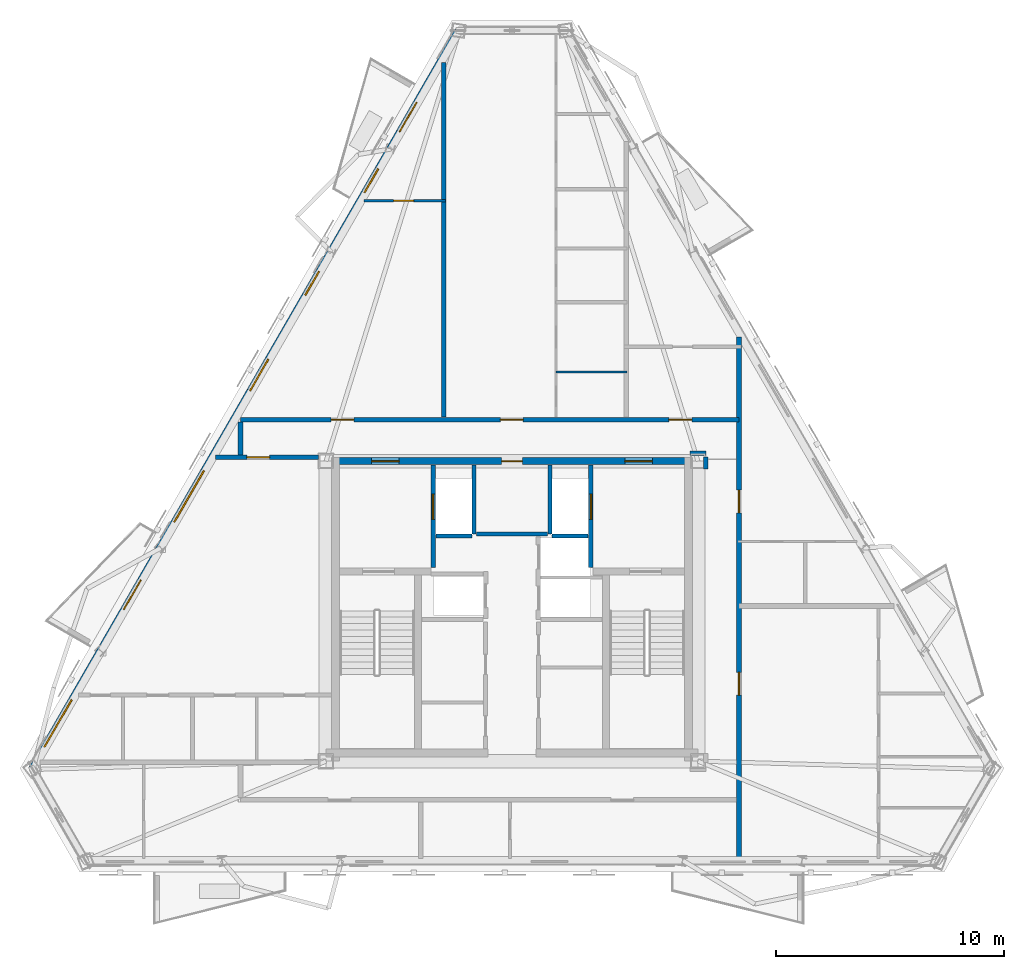
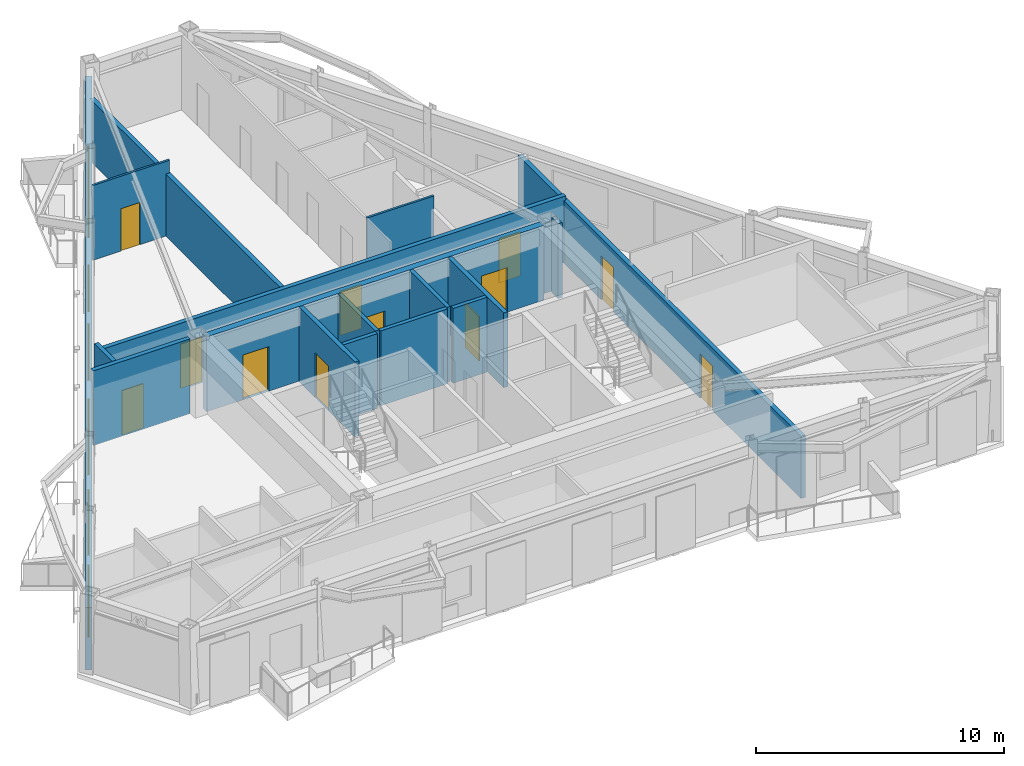
# One storey, part 4 of 9: 18 walls, 14 doors, 5 windows, 19 openings.
"""IFC4 building model written with IfcOpenShell, lengths in metres."""

from ifc_helpers import new_model, si_unit, direction, frame, frame_2d, origin, place, context, subcontext, project, spatial, rectangle, extrude, material, layer, layer_set, type_object, element, fill, save


model = new_model("IFC4")

# Units and contexts
model_context = context("Model", 3, precision=1e-05, world=origin(), true_north=direction((0.0, 1.0)))
body_context = subcontext(model_context, "Body", "Model", "MODEL_VIEW")
ifc_project = project(units=[si_unit("LENGTHUNIT", "METRE"), si_unit("AREAUNIT", "SQUARE_METRE"), si_unit("VOLUMEUNIT", "CUBIC_METRE"), si_unit("PLANEANGLEUNIT", "RADIAN"), si_unit("MASSUNIT", "GRAM", prefix="KILO")], contexts=[model_context])

# Site, building, storey
site_placement = place(None, origin())
site = spatial("IfcSite", under=ifc_project, at=site_placement, CompositionType="ELEMENT")
building_placement = place(site_placement, origin())
building = spatial("IfcBuilding", under=site, at=building_placement, Name="Oramaril Tower", CompositionType="ELEMENT")
storey_placement = place(building_placement, frame((0.0, 0.0, 273.300048828125)))
storey = spatial("IfcBuildingStorey", under=building, at=storey_placement, Name="L72", CompositionType="ELEMENT", Elevation=273.300048828125)

# Wall, openings, doors, windows
ifc_material_1 = material(Name="Warm Cream Limestone", Category="masonry")
ifc_layer_1 = layer(ifc_material_1, 0.2900390625)
ifc_layer_set_1 = layer_set([ifc_layer_1], Name="WT-EXT29")
wall_type_1 = type_object("IfcWallType", Name="WT-EXT29", PredefinedType="SOLIDWALL", material=ifc_layer_set_1)
wall_1_placement = place(storey_placement, frame((35.139404296875, 43.02294921875, 0.0), z_axis=(0.0, 0.0, 1.0), x_axis=(-0.499999381892, -0.866025760649, 0.0)))
wall_1 = element("IfcWall", 1, at=wall_1_placement, inside=storey, type_object=wall_type_1, Name="L72 Tower Limestone Facade Wall 6M", PredefinedType="SOLIDWALL", context=body_context, shape_type="SweptSolid", body=[
    extrude(rectangle(XDim=37.3427734375, YDim=0.2900390625, at=frame_2d((18.67138671875, 0.0))), origin(), (0.0, 0.0, 1.0), 3.057861328125),
])
opening_1_placement = place(wall_1_placement, frame((3.639404296875, 0.0, 0.0)))
opening_1 = element("IfcOpeningElement", 2, at=opening_1_placement, cuts=wall_1, Name="Opening D-L72-BAL-NW1", PredefinedType="OPENING", context=body_context, shape_type="SweptSolid", body=[
    extrude(rectangle(XDim=1.5, YDim=2.199951171875, at=frame_2d((0.75, 1.10009765625))), frame((0.0, 0.14501953125, 0.0), z_axis=(0.0, -1.0, 0.0), x_axis=(1.0, 0.0, 0.0)), (0.0, 0.0, 1.0), 0.2900390625),
])
opening_2_placement = place(wall_1_placement, frame((27.80859375, 0.0, 0.0)))
opening_2 = element("IfcOpeningElement", 3, at=opening_2_placement, cuts=wall_1, Name="Opening D-L72-BAL-NW2", PredefinedType="OPENING", context=body_context, shape_type="SweptSolid", body=[
    extrude(rectangle(XDim=1.5, YDim=2.199951171875, at=frame_2d((0.75, 1.10009765625))), frame((0.0, 0.14501953125, 0.0), z_axis=(0.0, -1.0, 0.0), x_axis=(1.0, 0.0, 0.0)), (0.0, 0.0, 1.0), 0.2900390625),
])
opening_3_placement = place(wall_1_placement, frame((22.281494140625, 0.0, 0.85009765625)))
opening_3 = element("IfcOpeningElement", 4, at=opening_3_placement, cuts=wall_1, Name="Opening WN-02", PredefinedType="OPENING", context=body_context, shape_type="SweptSolid", body=[
    extrude(rectangle(XDim=2.60009765625, YDim=1.949951171875, at=frame_2d((1.300048828125, 0.97509765625))), frame((0.0, 0.14501953125, 0.0), z_axis=(0.0, -1.0, 0.0), x_axis=(1.0, 0.0, 0.0)), (0.0, 0.0, 1.0), 0.2900390625),
])
opening_4_placement = place(wall_1_placement, frame((33.8662109375, 0.0, 0.85009765625)))
opening_4 = element("IfcOpeningElement", 5, at=opening_4_placement, cuts=wall_1, Name="Opening WN-03", PredefinedType="OPENING", context=body_context, shape_type="SweptSolid", body=[
    extrude(rectangle(XDim=2.39990234375, YDim=1.89990234375, at=frame_2d((1.199951171875, 0.949951171875))), frame((0.0, 0.14501953125, 0.0), z_axis=(0.0, -1.0, 0.0), x_axis=(1.0, 0.0, 0.0)), (0.0, 0.0, 1.0), 0.2900390625),
])
opening_5_placement = place(wall_1_placement, frame((12.196533203125, 0.0, 0.85009765625)))
opening_5 = element("IfcOpeningElement", 6, at=opening_5_placement, cuts=wall_1, Name="Opening WN-09", PredefinedType="OPENING", context=body_context, shape_type="SweptSolid", body=[
    extrude(rectangle(XDim=1.199951171875, YDim=1.47998046875, at=frame_2d((0.60009765625, 0.739990234375))), frame((0.0, 0.14501953125, 0.0), z_axis=(0.0, -1.0, 0.0), x_axis=(1.0, 0.0, 0.0)), (0.0, 0.0, 1.0), 0.2900390625),
])
opening_6_placement = place(wall_1_placement, frame((16.635009765625, 0.0, 0.85009765625)))
opening_6 = element("IfcOpeningElement", 7, at=opening_6_placement, cuts=wall_1, Name="Opening WN-07", PredefinedType="OPENING", context=body_context, shape_type="SweptSolid", body=[
    extrude(rectangle(XDim=1.60009765625, YDim=1.699951171875, at=frame_2d((0.800048828125, 0.85009765625))), frame((0.0, 0.14501953125, 0.0), z_axis=(0.0, -1.0, 0.0), x_axis=(1.0, 0.0, 0.0)), (0.0, 0.0, 1.0), 0.2900390625),
])
opening_7_placement = place(wall_1_placement, frame((7.0009765625, 0.0, 0.85009765625)))
opening_7 = element("IfcOpeningElement", 8, at=opening_7_placement, cuts=wall_1, Name="Opening WN-09", PredefinedType="OPENING", context=body_context, shape_type="SweptSolid", body=[
    extrude(rectangle(XDim=1.199951171875, YDim=1.47998046875, at=frame_2d((0.60009765625, 0.739990234375))), frame((0.0, 0.14501953125, 0.0), z_axis=(0.0, -1.0, 0.0), x_axis=(1.0, 0.0, 0.0)), (0.0, 0.0, 1.0), 0.2900390625),
])
ifc_material_2 = material(Name="Anodised Aluminium 6063-T6", Category="aluminium")
door_type_1 = type_object("IfcDoorType", Name="DT-BAL", OperationType="NOTDEFINED", PredefinedType="DOOR", material=ifc_material_2)
door_1_placement = place(opening_1_placement, origin())
door_1 = element("IfcDoor", 9, at=door_1_placement, inside=storey, type_object=door_type_1, Name="L72 Balcony Glazed Door L72-BAL-NW1", OperationType="SINGLE_SWING_LEFT", OverallHeight=2.199951171875, OverallWidth=1.5, PredefinedType="DOOR", context=body_context, shape_type="SweptSolid", body=[
    extrude(rectangle(XDim=1.5, YDim=2.199951171875, at=frame_2d((0.75, 1.10009765625))), frame((0.0, 0.02490234375, 0.0), z_axis=(0.0, -1.0, 0.0), x_axis=(1.0, 0.0, 0.0)), (0.0, 0.0, 1.0), 0.050048828125),
])
fill(opening_1, door_1)
door_2_placement = place(opening_2_placement, origin())
door_2 = element("IfcDoor", 10, at=door_2_placement, inside=storey, type_object=door_type_1, Name="L72 Balcony Glazed Door L72-BAL-NW2", OperationType="SINGLE_SWING_RIGHT", OverallHeight=2.199951171875, OverallWidth=1.5, PredefinedType="DOOR", context=body_context, shape_type="SweptSolid", body=[
    extrude(rectangle(XDim=1.5, YDim=2.199951171875, at=frame_2d((0.75, 1.10009765625))), frame((0.0, 0.02490234375, 0.0), z_axis=(0.0, -1.0, 0.0), x_axis=(1.0, 0.0, 0.0)), (0.0, 0.0, 1.0), 0.050048828125),
])
fill(opening_2, door_2)
ifc_material_3 = material(Name="Coastal Low-E Insulated Glass", Category="glass")
window_type_1 = type_object("IfcWindowType", Name="WNT-02", PartitioningType="SINGLE_PANEL", PredefinedType="WINDOW", material=ifc_material_3)
window_1_placement = place(opening_3_placement, origin())
window_1 = element("IfcWindow", 11, at=window_1_placement, inside=storey, type_object=window_type_1, Name="L72 Chicago Bay Window WN-02", OverallHeight=1.949951171875, OverallWidth=2.60009765625, PartitioningType="SINGLE_PANEL", PredefinedType="WINDOW", context=body_context, shape_type="SweptSolid", body=[
    extrude(rectangle(XDim=2.60009765625, YDim=1.949951171875, at=frame_2d((1.300048828125, 0.97509765625))), frame((0.0, 0.030029296875, 0.0), z_axis=(0.0, -1.0, 0.0), x_axis=(1.0, 0.0, 0.0)), (0.0, 0.0, 1.0), 0.06005859375),
])
fill(opening_3, window_1)
ifc_material_4 = material(Name="Coastal Low-E Insulated Glass", Category="glass")
window_type_2 = type_object("IfcWindowType", Name="WNT-03", PartitioningType="SINGLE_PANEL", PredefinedType="WINDOW", material=ifc_material_4)
window_2_placement = place(opening_4_placement, origin())
window_2 = element("IfcWindow", 12, at=window_2_placement, inside=storey, type_object=window_type_2, Name="L72 Chicago Bay Window WN-03", OverallHeight=1.89990234375, OverallWidth=2.39990234375, PartitioningType="SINGLE_PANEL", PredefinedType="WINDOW", context=body_context, shape_type="SweptSolid", body=[
    extrude(rectangle(XDim=2.39990234375, YDim=1.89990234375, at=frame_2d((1.199951171875, 0.949951171875))), frame((0.0, 0.030029296875, 0.0), z_axis=(0.0, -1.0, 0.0), x_axis=(1.0, 0.0, 0.0)), (0.0, 0.0, 1.0), 0.06005859375),
])
fill(opening_4, window_2)
ifc_material_5 = material(Name="Coastal Low-E Insulated Glass", Category="glass")
window_type_3 = type_object("IfcWindowType", Name="WNT-07", PartitioningType="SINGLE_PANEL", PredefinedType="WINDOW", material=ifc_material_5)
window_3_placement = place(opening_6_placement, origin())
window_3 = element("IfcWindow", 13, at=window_3_placement, inside=storey, type_object=window_type_3, Name="L72 Chicago Bay Window WN-07", OverallHeight=1.699951171875, OverallWidth=1.60009765625, PartitioningType="SINGLE_PANEL", PredefinedType="WINDOW", context=body_context, shape_type="SweptSolid", body=[
    extrude(rectangle(XDim=1.60009765625, YDim=1.699951171875, at=frame_2d((0.800048828125, 0.85009765625))), frame((0.0, 0.030029296875, 0.0), z_axis=(0.0, -1.0, 0.0), x_axis=(1.0, 0.0, 0.0)), (0.0, 0.0, 1.0), 0.06005859375),
])
fill(opening_6, window_3)
ifc_material_6 = material(Name="Coastal Low-E Insulated Glass", Category="glass")
window_type_4 = type_object("IfcWindowType", Name="WNT-09", PartitioningType="SINGLE_PANEL", PredefinedType="WINDOW", material=ifc_material_6)
window_4_placement = place(opening_5_placement, origin())
window_4 = element("IfcWindow", 14, at=window_4_placement, inside=storey, type_object=window_type_4, Name="L72 Chicago Bay Window WN-09", OverallHeight=1.47998046875, OverallWidth=1.199951171875, PartitioningType="SINGLE_PANEL", PredefinedType="WINDOW", context=body_context, shape_type="SweptSolid", body=[
    extrude(rectangle(XDim=1.199951171875, YDim=1.47998046875, at=frame_2d((0.60009765625, 0.739990234375))), frame((0.0, 0.030029296875, 0.0), z_axis=(0.0, -1.0, 0.0), x_axis=(1.0, 0.0, 0.0)), (0.0, 0.0, 1.0), 0.06005859375),
])
fill(opening_5, window_4)
window_5_placement = place(opening_7_placement, origin())
window_5 = element("IfcWindow", 15, at=window_5_placement, inside=storey, type_object=window_type_4, Name="L72 Chicago Bay Window WN-09", OverallHeight=1.47998046875, OverallWidth=1.199951171875, PartitioningType="SINGLE_PANEL", PredefinedType="WINDOW", context=body_context, shape_type="SweptSolid", body=[
    extrude(rectangle(XDim=1.199951171875, YDim=1.47998046875, at=frame_2d((0.60009765625, 0.739990234375))), frame((0.0, 0.030029296875, 0.0), z_axis=(0.0, -1.0, 0.0), x_axis=(1.0, 0.0, 0.0)), (0.0, 0.0, 1.0), 0.06005859375),
])
fill(opening_7, window_5)

# Wall
ifc_material_7 = material(Name="Acoustic Gypsum Board Partition")
ifc_layer_2 = layer(ifc_material_7, 0.10009765625)
ifc_layer_set_2 = layer_set([ifc_layer_2], Name="WT-PT10")
wall_type_2 = type_object("IfcWallType", Name="WT-PT10", PredefinedType="PARTITIONING", material=ifc_layer_set_2)
wall_2_placement = place(storey_placement, frame((39.429931640625, 28.06005859375, 0.0), z_axis=(0.0, 0.0, 1.0), x_axis=(1.0, 0.0, 0.0)))
element("IfcWall", 16, at=wall_2_placement, inside=storey, type_object=wall_type_2, Name="L72 Interior Partition PT-10", PredefinedType="PARTITIONING", context=body_context, shape_type="SweptSolid", body=[
    extrude(rectangle(XDim=3.1201171875, YDim=0.10009765625, at=frame_2d((1.56005859375, 0.0))), origin(), (0.0, 0.0, 1.0), 3.679931640625),
])

# Wall, opening, door
wall_3_placement = place(storey_placement, frame((31.002685546875, 35.56005859375, 0.0), z_axis=(0.0, 0.0, 1.0), x_axis=(1.0, 0.0, 0.0)))
wall_3 = element("IfcWall", 17, at=wall_3_placement, inside=storey, type_object=wall_type_2, Name="L72 Interior Partition PT-10", PredefinedType="PARTITIONING", context=body_context, shape_type="SweptSolid", body=[
    extrude(rectangle(XDim=3.579345703125, YDim=0.10009765625, at=frame_2d((1.78955078125, 0.0))), origin(), (0.0, 0.0, 1.0), 3.679931640625),
])
opening_8_placement = place(wall_3_placement, frame((1.30908203125, 0.0, 0.0)))
opening_8 = element("IfcOpeningElement", 18, at=opening_8_placement, cuts=wall_3, Name="Opening D-L72-14", PredefinedType="OPENING", context=body_context, shape_type="SweptSolid", body=[
    extrude(rectangle(XDim=0.8798828125, YDim=2.080078125, at=frame_2d((0.43994140625, 1.0400390625))), frame((0.0, 0.050048828125, 0.0), z_axis=(0.0, -1.0, 0.0), x_axis=(1.0, 0.0, 0.0)), (0.0, 0.0, 1.0), 0.10009765625),
])
ifc_material_8 = material(Name="FSC Brazilian Freijo Hardwood", Category="wood")
door_type_2 = type_object("IfcDoorType", Name="DT-BATH", OperationType="NOTDEFINED", PredefinedType="DOOR", material=ifc_material_8)
door_3_placement = place(opening_8_placement, origin())
door_3 = element("IfcDoor", 19, at=door_3_placement, inside=storey, type_object=door_type_2, Name="L72 Flat L72-U6 Bathroom Door D-L72-14", OperationType="SINGLE_SWING_LEFT", OverallHeight=2.080078125, OverallWidth=0.8798828125, PredefinedType="DOOR", context=body_context, shape_type="SweptSolid", body=[
    extrude(rectangle(XDim=0.8798828125, YDim=2.080078125, at=frame_2d((0.43994140625, 1.0400390625))), frame((0.0, 0.02490234375, 0.0), z_axis=(0.0, -1.0, 0.0), x_axis=(1.0, 0.0, 0.0)), (0.0, 0.0, 1.0), 0.050048828125),
])
fill(opening_8, door_3)

# Walls
ifc_material_9 = material(Name="Autoclaved Cellular Concrete Block", Category="concrete")
ifc_layer_3 = layer(ifc_material_9, 0.179931640625)
ifc_layer_set_3 = layer_set([ifc_layer_3], Name="WT-PT18")
wall_type_3 = type_object("IfcWallType", Name="WT-PT18", PredefinedType="PARTITIONING", material=ifc_layer_set_3)
wall_4_placement = place(storey_placement, frame((35.840087890625, 20.9599609375, 0.0), z_axis=(0.0, 0.0, 1.0), x_axis=(0.0, 1.0, 0.0)))
element("IfcWall", 20, at=wall_4_placement, inside=storey, type_object=wall_type_3, Name="L72 FL-1 East Shaft Wall", PredefinedType="PARTITIONING", context=body_context, shape_type="SweptSolid", body=[
    extrude(rectangle(XDim=3.02001953125, YDim=0.179931640625, at=frame_2d((1.510009765625, 0.0))), origin(), (0.0, 0.0, 1.0), 3.679931640625),
])
wall_5_placement = place(storey_placement, frame((34.159912109375, 20.860107421875, 0.0), z_axis=(0.0, 0.0, 1.0), x_axis=(1.0, 0.0, 0.0)))
element("IfcWall", 21, at=wall_5_placement, inside=storey, type_object=wall_type_3, Name="L72 FL-1 South Shaft Wall", PredefinedType="PARTITIONING", context=body_context, shape_type="SweptSolid", body=[
    extrude(rectangle(XDim=1.580078125, YDim=0.179931640625, at=frame_2d((0.7900390625, 0.0))), origin(), (0.0, 0.0, 1.0), 3.679931640625),
])
wall_6_placement = place(storey_placement, frame((39.159912109375, 20.9599609375, 0.0), z_axis=(0.0, 0.0, 1.0), x_axis=(0.0, 1.0, 0.0)))
element("IfcWall", 22, at=wall_6_placement, inside=storey, type_object=wall_type_3, Name="L72 FL-2 West Shaft Wall", PredefinedType="PARTITIONING", context=body_context, shape_type="SweptSolid", body=[
    extrude(rectangle(XDim=3.02001953125, YDim=0.179931640625, at=frame_2d((1.510009765625, 0.0))), origin(), (0.0, 0.0, 1.0), 3.679931640625),
])
wall_7_placement = place(storey_placement, frame((39.260009765625, 20.860107421875, 0.0), z_axis=(0.0, 0.0, 1.0), x_axis=(1.0, 0.0, 0.0)))
element("IfcWall", 23, at=wall_7_placement, inside=storey, type_object=wall_type_3, Name="L72 FL-2 South Shaft Wall", PredefinedType="PARTITIONING", context=body_context, shape_type="SweptSolid", body=[
    extrude(rectangle(XDim=1.580078125, YDim=0.179931640625, at=frame_2d((0.7900390625, 0.0))), origin(), (0.0, 0.0, 1.0), 3.679931640625),
])
wall_8_placement = place(storey_placement, frame((35.949951171875, 20.949951171875, 0.0), z_axis=(0.0, 0.0, 1.0), x_axis=(1.0, 0.0, 0.0)))
element("IfcWall", 24, at=wall_8_placement, inside=storey, type_object=wall_type_3, Name="L72 Lift Lobby North Partition", PredefinedType="PARTITIONING", context=body_context, shape_type="SweptSolid", body=[
    extrude(rectangle(XDim=3.10009765625, YDim=0.179931640625, at=frame_2d((1.550048828125, 0.0))), origin(), (0.0, 0.0, 1.0), 3.679931640625),
])

# Wall, opening, door
ifc_material_10 = material(Name="Autoclaved Cellular Concrete Block", Category="concrete")
ifc_layer_4 = layer(ifc_material_10, 0.199951171875)
ifc_layer_set_4 = layer_set([ifc_layer_4], Name="WT-PT20")
wall_type_4 = type_object("IfcWallType", Name="WT-PT20", PredefinedType="PARTITIONING", material=ifc_layer_set_4)
wall_9_placement = place(storey_placement, frame((24.51318359375, 24.320068359375, 0.0), z_axis=(0.0, 0.0, 1.0), x_axis=(1.0, 0.0, 0.0)))
wall_9 = element("IfcWall", 25, at=wall_9_placement, inside=storey, type_object=wall_type_4, Name="L72 Interior Partition PT-20", PredefinedType="PARTITIONING", context=body_context, shape_type="SweptSolid", body=[
    extrude(rectangle(XDim=4.496826171875, YDim=0.199951171875, at=frame_2d((2.24853515625, 0.0))), origin(), (0.0, 0.0, 1.0), 3.679931640625),
])
opening_9_placement = place(wall_9_placement, frame((1.368408203125, 0.0, 0.0)))
opening_9 = element("IfcOpeningElement", 26, at=opening_9_placement, cuts=wall_9, Name="Opening D-L72-09", PredefinedType="OPENING", context=body_context, shape_type="SweptSolid", body=[
    extrude(rectangle(XDim=1.0, YDim=2.179931640625, at=frame_2d((0.5, 1.08984375))), frame((0.0, 0.10009765625, 0.0), z_axis=(0.0, -1.0, 0.0), x_axis=(1.0, 0.0, 0.0)), (0.0, 0.0, 1.0), 0.199951171875),
])
ifc_material_11 = material(Name="FSC Brazilian Freijo Hardwood", Category="wood")
door_type_3 = type_object("IfcDoorType", Name="DT-APT", OperationType="NOTDEFINED", PredefinedType="DOOR", material=ifc_material_11)
door_4_placement = place(opening_9_placement, origin())
door_4 = element("IfcDoor", 27, at=door_4_placement, inside=storey, type_object=door_type_3, Name="L72 Flat L72-U3 Penthouse 2-Bedroom Living and Dining Room Door D-L72-09", OperationType="SINGLE_SWING_RIGHT", OverallHeight=2.179931640625, OverallWidth=1.0, PredefinedType="DOOR", context=body_context, shape_type="SweptSolid", body=[
    extrude(rectangle(XDim=1.0, YDim=2.179931640625, at=frame_2d((0.5, 1.08984375))), frame((0.0, 0.02490234375, 0.0), z_axis=(0.0, -1.0, 0.0), x_axis=(1.0, 0.0, 0.0)), (0.0, 0.0, 1.0), 0.050048828125),
])
fill(opening_9, door_4)

# Wall
wall_10_placement = place(storey_placement, frame((45.304931640625, 24.5, 0.0), z_axis=(0.0, 0.0, 1.0), x_axis=(1.0, 0.0, 0.0)))
element("IfcWall", 28, at=wall_10_placement, inside=storey, type_object=wall_type_4, Name="L72 Interior Partition PT-20", PredefinedType="PARTITIONING", context=body_context, shape_type="SweptSolid", body=[
    extrude(rectangle(XDim=0.690185546875, YDim=0.199951171875, at=frame_2d((0.34521484375, 0.0))), origin(), (0.0, 0.0, 1.0), 3.265869140625),
])

# Wall, openings, doors
wall_11_placement = place(storey_placement, frame((25.60009765625, 25.969970703125, 0.0), z_axis=(0.0, 0.0, 1.0), x_axis=(1.0, 0.0, 0.0)))
wall_11 = element("IfcWall", 29, at=wall_11_placement, inside=storey, type_object=wall_type_4, Name="L72 Interior Partition PT-20", PredefinedType="PARTITIONING", context=body_context, shape_type="SweptSolid", body=[
    extrude(rectangle(XDim=21.849853515625, YDim=0.199951171875, at=frame_2d((10.9248046875, 0.0))), origin(), (0.0, 0.0, 1.0), 3.265869140625),
])
opening_10_placement = place(wall_11_placement, frame((3.970947265625, 0.0, 0.0)))
opening_10 = element("IfcOpeningElement", 30, at=opening_10_placement, cuts=wall_11, Name="Opening D-L72-10", PredefinedType="OPENING", context=body_context, shape_type="SweptSolid", body=[
    extrude(rectangle(XDim=1.0, YDim=2.179931640625, at=frame_2d((0.5, 1.08984375))), frame((0.0, 0.10009765625, 0.0), z_axis=(0.0, -1.0, 0.0), x_axis=(1.0, 0.0, 0.0)), (0.0, 0.0, 1.0), 0.199951171875),
])
opening_11_placement = place(wall_11_placement, frame((11.3876953125, 0.0, 0.0)))
opening_11 = element("IfcOpeningElement", 31, at=opening_11_placement, cuts=wall_11, Name="Opening D-L72-11", PredefinedType="OPENING", context=body_context, shape_type="SweptSolid", body=[
    extrude(rectangle(XDim=1.0, YDim=2.179931640625, at=frame_2d((0.5, 1.08984375))), frame((0.0, 0.10009765625, 0.0), z_axis=(0.0, -1.0, 0.0), x_axis=(1.0, 0.0, 0.0)), (0.0, 0.0, 1.0), 0.199951171875),
])
opening_12_placement = place(wall_11_placement, frame((18.77978515625, 0.0, 0.0)))
opening_12 = element("IfcOpeningElement", 32, at=opening_12_placement, cuts=wall_11, Name="Opening D-L72-12", PredefinedType="OPENING", context=body_context, shape_type="SweptSolid", body=[
    extrude(rectangle(XDim=1.0, YDim=2.179931640625, at=frame_2d((0.5, 1.08984375))), frame((0.0, 0.10009765625, 0.0), z_axis=(0.0, -1.0, 0.0), x_axis=(1.0, 0.0, 0.0)), (0.0, 0.0, 1.0), 0.199951171875),
])
door_5_placement = place(opening_10_placement, origin())
door_5 = element("IfcDoor", 33, at=door_5_placement, inside=storey, type_object=door_type_3, Name="L72 Flat L72-U6 Kitchen and Studio Apartment Door D-L72-10", OperationType="SINGLE_SWING_LEFT", OverallHeight=2.179931640625, OverallWidth=1.0, PredefinedType="DOOR", context=body_context, shape_type="SweptSolid", body=[
    extrude(rectangle(XDim=1.0, YDim=2.179931640625, at=frame_2d((0.5, 1.08984375))), frame((0.0, 0.02490234375, 0.0), z_axis=(0.0, -1.0, 0.0), x_axis=(1.0, 0.0, 0.0)), (0.0, 0.0, 1.0), 0.050048828125),
])
fill(opening_10, door_5)
door_6_placement = place(opening_11_placement, origin())
door_6 = element("IfcDoor", 34, at=door_6_placement, inside=storey, type_object=door_type_3, Name="L72 Flat L72-U7 Penthouse Living and Dining Room Door D-L72-11", OperationType="SINGLE_SWING_RIGHT", OverallHeight=2.179931640625, OverallWidth=1.0, PredefinedType="DOOR", context=body_context, shape_type="SweptSolid", body=[
    extrude(rectangle(XDim=1.0, YDim=2.179931640625, at=frame_2d((0.5, 1.08984375))), frame((0.0, 0.02490234375, 0.0), z_axis=(0.0, -1.0, 0.0), x_axis=(1.0, 0.0, 0.0)), (0.0, 0.0, 1.0), 0.050048828125),
])
fill(opening_11, door_6)
door_7_placement = place(opening_12_placement, origin())
door_7 = element("IfcDoor", 35, at=door_7_placement, inside=storey, type_object=door_type_3, Name="L72 Flat L72-U8 Kitchen and Studio Apartment Door D-L72-12", OperationType="SINGLE_SWING_LEFT", OverallHeight=2.179931640625, OverallWidth=1.0, PredefinedType="DOOR", context=body_context, shape_type="SweptSolid", body=[
    extrude(rectangle(XDim=1.0, YDim=2.179931640625, at=frame_2d((0.5, 1.08984375))), frame((0.0, 0.02490234375, 0.0), z_axis=(0.0, -1.0, 0.0), x_axis=(1.0, 0.0, 0.0)), (0.0, 0.0, 1.0), 0.050048828125),
])
fill(opening_12, door_7)

# Walls
wall_12_placement = place(storey_placement, frame((25.60009765625, 24.424072265625, 0.0), z_axis=(0.0, 0.0, 1.0), x_axis=(0.0, 1.0, 0.0)))
element("IfcWall", 36, at=wall_12_placement, inside=storey, type_object=wall_type_4, Name="L72 Interior Partition PT-20", PredefinedType="PARTITIONING", context=body_context, shape_type="SweptSolid", body=[
    extrude(rectangle(XDim=1.44189453125, YDim=0.199951171875, at=frame_2d((0.720947265625, 0.0))), origin(), (0.0, 0.0, 1.0), 3.679931640625),
])
wall_13_placement = place(storey_placement, frame((34.5, 26.073974609375, 0.0), z_axis=(0.0, 0.0, 1.0), x_axis=(0.0, 1.0, 0.0)))
element("IfcWall", 37, at=wall_13_placement, inside=storey, type_object=wall_type_4, Name="L72 Interior Partition PT-20", PredefinedType="PARTITIONING", context=body_context, shape_type="SweptSolid", body=[
    extrude(rectangle(XDim=15.543701171875, YDim=0.199951171875, at=frame_2d((7.77197265625, 0.0))), origin(), (0.0, 0.0, 1.0), 3.057861328125),
])
wall_14_placement = place(storey_placement, frame((45.989990234375, 23.81005859375, 0.0), z_axis=(0.0, 0.0, 1.0), x_axis=(0.0, 1.0, 0.0)))
element("IfcWall", 38, at=wall_14_placement, inside=storey, type_object=wall_type_4, Name="L72 Interior Partition PT-20", PredefinedType="PARTITIONING", context=body_context, shape_type="SweptSolid", body=[
    extrude(rectangle(XDim=0.510009765625, YDim=0.199951171875, at=frame_2d((0.2548828125, 0.0))), origin(), (0.0, 0.0, 1.0), 3.679931640625),
])

# Wall, openings, doors
wall_15_placement = place(storey_placement, frame((47.449951171875, 6.7431640625, 0.0), z_axis=(0.0, 0.0, 1.0), x_axis=(0.0, 1.0, 0.0)))
wall_15 = element("IfcWall", 39, at=wall_15_placement, inside=storey, type_object=wall_type_4, Name="L72 Interior Partition PT-20", PredefinedType="PARTITIONING", context=body_context, shape_type="SweptSolid", body=[
    extrude(rectangle(XDim=22.836669921875, YDim=0.199951171875, at=frame_2d((11.41845703125, 0.0))), origin(), (0.0, 0.0, 1.0), 3.057861328125),
])
opening_13_placement = place(wall_15_placement, frame((7.15283203125, 0.0, 0.0)))
opening_13 = element("IfcOpeningElement", 40, at=opening_13_placement, cuts=wall_15, Name="Opening D-L72-23", PredefinedType="OPENING", context=body_context, shape_type="SweptSolid", body=[
    extrude(rectangle(XDim=1.0, YDim=2.179931640625, at=frame_2d((0.5, 1.08984375))), frame((0.0, 0.10009765625, 0.0), z_axis=(0.0, -1.0, 0.0), x_axis=(1.0, 0.0, 0.0)), (0.0, 0.0, 1.0), 0.199951171875),
])
opening_14_placement = place(wall_15_placement, frame((15.138916015625, 0.0, 0.0)))
opening_14 = element("IfcOpeningElement", 41, at=opening_14_placement, cuts=wall_15, Name="Opening D-L72-24", PredefinedType="OPENING", context=body_context, shape_type="SweptSolid", body=[
    extrude(rectangle(XDim=1.0, YDim=2.179931640625, at=frame_2d((0.5, 1.08984375))), frame((0.0, 0.10009765625, 0.0), z_axis=(0.0, -1.0, 0.0), x_axis=(1.0, 0.0, 0.0)), (0.0, 0.0, 1.0), 0.199951171875),
])
door_8_placement = place(opening_13_placement, origin())
door_8 = element("IfcDoor", 42, at=door_8_placement, inside=storey, type_object=door_type_3, Name="L72 Flat L72-U4 Studio Apartment Door D-L72-23", OperationType="SINGLE_SWING_RIGHT", OverallHeight=2.179931640625, OverallWidth=1.0, PredefinedType="DOOR", context=body_context, shape_type="SweptSolid", body=[
    extrude(rectangle(XDim=1.0, YDim=2.179931640625, at=frame_2d((0.5, 1.08984375))), frame((0.0, 0.02490234375, 0.0), z_axis=(0.0, -1.0, 0.0), x_axis=(1.0, 0.0, 0.0)), (0.0, 0.0, 1.0), 0.050048828125),
])
fill(opening_13, door_8)
door_9_placement = place(opening_14_placement, origin())
door_9 = element("IfcDoor", 43, at=door_9_placement, inside=storey, type_object=door_type_3, Name="L72 Flat L72-U5 Studio Apartment Door D-L72-24", OperationType="SINGLE_SWING_LEFT", OverallHeight=2.179931640625, OverallWidth=1.0, PredefinedType="DOOR", context=body_context, shape_type="SweptSolid", body=[
    extrude(rectangle(XDim=1.0, YDim=2.179931640625, at=frame_2d((0.5, 1.08984375))), frame((0.0, 0.02490234375, 0.0), z_axis=(0.0, -1.0, 0.0), x_axis=(1.0, 0.0, 0.0)), (0.0, 0.0, 1.0), 0.050048828125),
])
fill(opening_14, door_9)

ifc_material_12 = material(Name="Concrete C50/60", Category="concrete")
ifc_layer_5 = layer(ifc_material_12, 0.300048828125)
ifc_layer_set_5 = layer_set([ifc_layer_5], Name="WT-SH30")
wall_type_5 = type_object("IfcWallType", Name="WT-SH30", PredefinedType="SHEAR", material=ifc_layer_set_5)
wall_16_placement = place(storey_placement, frame((29.64990234375, 24.14990234375, 0.0), z_axis=(0.0, 0.0, 1.0), x_axis=(1.0, 0.0, 0.0)))
wall_16 = element("IfcWall", 44, at=wall_16_placement, inside=storey, type_object=wall_type_5, Name="L72 Core Shear Wall CW-N", PredefinedType="SHEAR", context=body_context, shape_type="SweptSolid", body=[
    extrude(rectangle(XDim=15.7001953125, YDim=0.300048828125, at=frame_2d((7.85009765625, 0.0))), origin(), (0.0, 0.0, 1.0), 3.679931640625),
])
opening_15_placement = place(wall_16_placement, frame((1.699951171875, 0.0, 0.0)))
opening_15 = element("IfcOpeningElement", 45, at=opening_15_placement, cuts=wall_16, Name="Opening D-L72-FFL1", PredefinedType="OPENING", context=body_context, shape_type="SweptSolid", body=[
    extrude(rectangle(XDim=1.199951171875, YDim=2.199951171875, at=frame_2d((0.60009765625, 1.10009765625))), frame((0.0, 0.14990234375, 0.0), z_axis=(0.0, -1.0, 0.0), x_axis=(1.0, 0.0, 0.0)), (0.0, 0.0, 1.0), 0.300048828125),
])
opening_16_placement = place(wall_16_placement, frame((12.800048828125, 0.0, 0.0)))
opening_16 = element("IfcOpeningElement", 46, at=opening_16_placement, cuts=wall_16, Name="Opening D-L72-FFL2", PredefinedType="OPENING", context=body_context, shape_type="SweptSolid", body=[
    extrude(rectangle(XDim=1.199951171875, YDim=2.199951171875, at=frame_2d((0.60009765625, 1.10009765625))), frame((0.0, 0.14990234375, 0.0), z_axis=(0.0, -1.0, 0.0), x_axis=(1.0, 0.0, 0.0)), (0.0, 0.0, 1.0), 0.300048828125),
])
opening_17_placement = place(wall_16_placement, frame((7.39990234375, 0.0, 0.0)))
opening_17 = element("IfcOpeningElement", 47, at=opening_17_placement, cuts=wall_16, Name="Opening D-L72-SV1", PredefinedType="OPENING", context=body_context, shape_type="SweptSolid", body=[
    extrude(rectangle(XDim=0.89990234375, YDim=2.050048828125, at=frame_2d((0.449951171875, 1.02490234375))), frame((0.0, 0.14990234375, 0.0), z_axis=(0.0, -1.0, 0.0), x_axis=(1.0, 0.0, 0.0)), (0.0, 0.0, 1.0), 0.300048828125),
])
ifc_material_13 = material(Name="Painted Galvanised Steel", Category="steel")
door_type_4 = type_object("IfcDoorType", Name="DT-FFL", OperationType="NOTDEFINED", PredefinedType="DOOR", material=ifc_material_13)
door_10_placement = place(opening_15_placement, origin())
door_10 = element("IfcDoor", 48, at=door_10_placement, inside=storey, type_object=door_type_4, Name="L72 Firefighting Lobby 1 Fire Door", OperationType="SINGLE_SWING_LEFT", OverallHeight=2.199951171875, OverallWidth=1.199951171875, PredefinedType="DOOR", context=body_context, shape_type="SweptSolid", body=[
    extrude(rectangle(XDim=1.199951171875, YDim=2.199951171875, at=frame_2d((0.60009765625, 1.10009765625))), frame((0.0, 0.02490234375, 0.0), z_axis=(0.0, -1.0, 0.0), x_axis=(1.0, 0.0, 0.0)), (0.0, 0.0, 1.0), 0.050048828125),
])
fill(opening_15, door_10)
door_11_placement = place(opening_16_placement, origin())
door_11 = element("IfcDoor", 49, at=door_11_placement, inside=storey, type_object=door_type_4, Name="L72 Firefighting Lobby 2 Fire Door", OperationType="SINGLE_SWING_RIGHT", OverallHeight=2.199951171875, OverallWidth=1.199951171875, PredefinedType="DOOR", context=body_context, shape_type="SweptSolid", body=[
    extrude(rectangle(XDim=1.199951171875, YDim=2.199951171875, at=frame_2d((0.60009765625, 1.10009765625))), frame((0.0, 0.02490234375, 0.0), z_axis=(0.0, -1.0, 0.0), x_axis=(1.0, 0.0, 0.0)), (0.0, 0.0, 1.0), 0.050048828125),
])
fill(opening_16, door_11)
ifc_material_14 = material(Name="Painted Galvanised Steel", Category="steel")
door_type_5 = type_object("IfcDoorType", Name="DT-SVC", OperationType="NOTDEFINED", PredefinedType="DOOR", material=ifc_material_14)
door_12_placement = place(opening_17_placement, origin())
door_12 = element("IfcDoor", 50, at=door_12_placement, inside=storey, type_object=door_type_5, Name="L72 Core Janitor Store Door", OperationType="SINGLE_SWING_LEFT", OverallHeight=2.050048828125, OverallWidth=0.89990234375, PredefinedType="DOOR", context=body_context, shape_type="SweptSolid", body=[
    extrude(rectangle(XDim=0.89990234375, YDim=2.050048828125, at=frame_2d((0.449951171875, 1.02490234375))), frame((0.0, 0.02490234375, 0.0), z_axis=(0.0, -1.0, 0.0), x_axis=(1.0, 0.0, 0.0)), (0.0, 0.0, 1.0), 0.050048828125),
])
fill(opening_17, door_12)

# Wall, opening, door
ifc_material_15 = material(Name="Autoclaved Cellular Concrete Block", Category="concrete")
ifc_layer_6 = layer(ifc_material_15, 0.199951171875)
ifc_layer_set_6 = layer_set([ifc_layer_6], Name="WT-SHF20")
wall_type_6 = type_object("IfcWallType", Name="WT-SHF20", PredefinedType="PARTITIONING", material=ifc_layer_set_6)
wall_17_placement = place(storey_placement, frame((34.0400390625, 19.47998046875, 0.0), z_axis=(0.0, 0.0, 1.0), x_axis=(0.0, 1.0, 0.0)))
wall_17 = element("IfcWall", 51, at=wall_17_placement, inside=storey, type_object=wall_type_6, Name="L72 FL-1 Lobby Shaft Wall", PredefinedType="PARTITIONING", context=body_context, shape_type="SweptSolid", body=[
    extrude(rectangle(XDim=4.5, YDim=0.199951171875, at=frame_2d((2.25, 0.0))), origin(), (0.0, 0.0, 1.0), 3.679931640625),
])
opening_18_placement = place(wall_17_placement, frame((2.1201171875, 0.0, 0.0)))
opening_18 = element("IfcOpeningElement", 52, at=opening_18_placement, cuts=wall_17, Name="Opening LD-L72-FL-1", PredefinedType="OPENING", context=body_context, shape_type="SweptSolid", body=[
    extrude(rectangle(XDim=1.10009765625, YDim=2.199951171875, at=frame_2d((0.550048828125, 1.10009765625))), frame((0.0, 0.10009765625, 0.0), z_axis=(0.0, -1.0, 0.0), x_axis=(1.0, 0.0, 0.0)), (0.0, 0.0, 1.0), 0.199951171875),
])
ifc_material_16 = material(Name="Stainless Steel 316L", Category="steel")
door_type_6 = type_object("IfcDoorType", Name="DT-LD1", OperationType="NOTDEFINED", PredefinedType="DOOR", material=ifc_material_16)
door_13_placement = place(opening_18_placement, origin())
door_13 = element("IfcDoor", 53, at=door_13_placement, inside=storey, type_object=door_type_6, Name="L72 Lift FL-1 Sliding Landing Door", OperationType="SLIDING_TO_LEFT", OverallHeight=2.199951171875, OverallWidth=1.10009765625, PredefinedType="DOOR", context=body_context, shape_type="SweptSolid", body=[
    extrude(rectangle(XDim=1.10009765625, YDim=2.199951171875, at=frame_2d((0.550048828125, 1.10009765625))), frame((0.0, 0.02490234375, 0.0), z_axis=(0.0, -1.0, 0.0), x_axis=(1.0, 0.0, 0.0)), (0.0, 0.0, 1.0), 0.050048828125),
])
fill(opening_18, door_13)

wall_18_placement = place(storey_placement, frame((40.9599609375, 19.47998046875, 0.0), z_axis=(0.0, 0.0, 1.0), x_axis=(0.0, 1.0, 0.0)))
wall_18 = element("IfcWall", 54, at=wall_18_placement, inside=storey, type_object=wall_type_6, Name="L72 FL-2 Lobby Shaft Wall", PredefinedType="PARTITIONING", context=body_context, shape_type="SweptSolid", body=[
    extrude(rectangle(XDim=4.5, YDim=0.199951171875, at=frame_2d((2.25, 0.0))), origin(), (0.0, 0.0, 1.0), 3.679931640625),
])
opening_19_placement = place(wall_18_placement, frame((2.1201171875, 0.0, 0.0)))
opening_19 = element("IfcOpeningElement", 55, at=opening_19_placement, cuts=wall_18, Name="Opening LD-L72-FL-2", PredefinedType="OPENING", context=body_context, shape_type="SweptSolid", body=[
    extrude(rectangle(XDim=1.10009765625, YDim=2.199951171875, at=frame_2d((0.550048828125, 1.10009765625))), frame((0.0, 0.10009765625, 0.0), z_axis=(0.0, -1.0, 0.0), x_axis=(1.0, 0.0, 0.0)), (0.0, 0.0, 1.0), 0.199951171875),
])
door_14_placement = place(opening_19_placement, origin())
door_14 = element("IfcDoor", 56, at=door_14_placement, inside=storey, type_object=door_type_6, Name="L72 Lift FL-2 Sliding Landing Door", OperationType="SLIDING_TO_RIGHT", OverallHeight=2.199951171875, OverallWidth=1.10009765625, PredefinedType="DOOR", context=body_context, shape_type="SweptSolid", body=[
    extrude(rectangle(XDim=1.10009765625, YDim=2.199951171875, at=frame_2d((0.550048828125, 1.10009765625))), frame((0.0, 0.02490234375, 0.0), z_axis=(0.0, -1.0, 0.0), x_axis=(1.0, 0.0, 0.0)), (0.0, 0.0, 1.0), 0.050048828125),
])
fill(opening_19, door_14)

save(model, "model.ifc")
